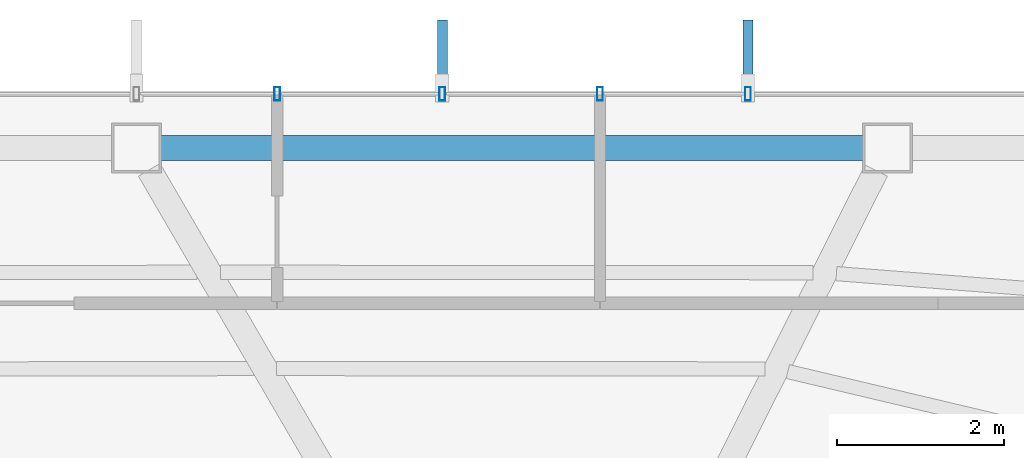
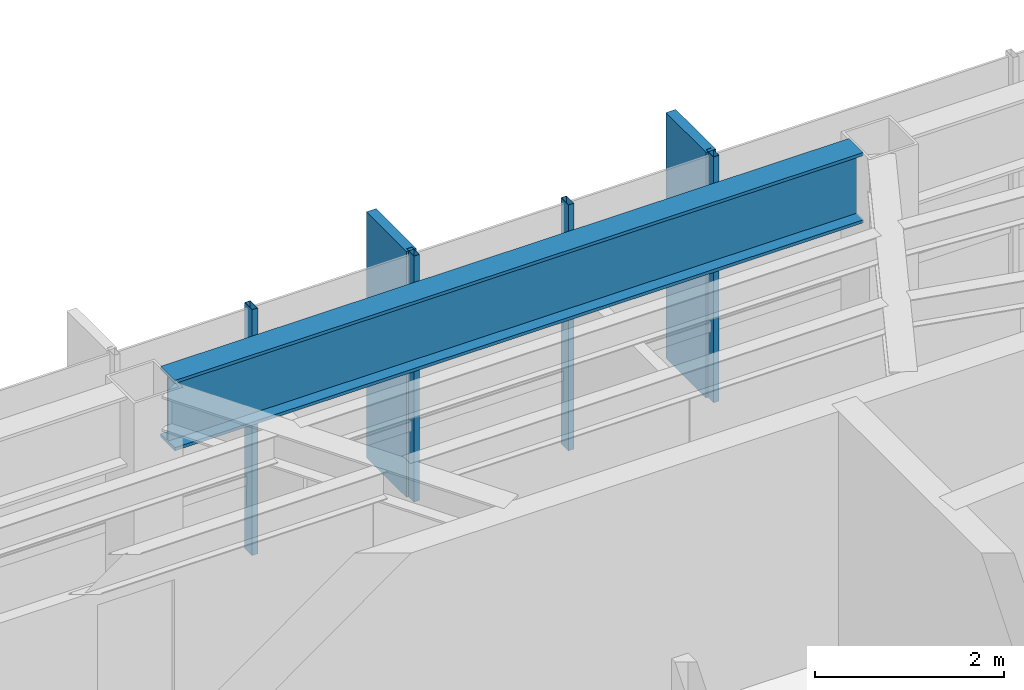
# One storey, part 14 of 25: 6 members, 1 beam, 1 element without a shape of its own.
"""IFC4 building model written with IfcOpenShell, lengths in metres."""

from ifc_helpers import new_model, si_unit, direction, frame, origin, origin_2d, place, context, subcontext, project, spatial, rectangle, hollow_rectangle, i_section, extrude, material, layer, layer_set, material_profile, profile_set, type_object, element, aggregate, save


model = new_model("IFC4")

# Units and contexts
model_context = context("Model", 3, precision=1e-05, world=origin(), true_north=direction((0.0, 1.0)))
body_context = subcontext(model_context, "Body", "Model", "MODEL_VIEW")
ifc_project = project(units=[si_unit("LENGTHUNIT", "METRE"), si_unit("AREAUNIT", "SQUARE_METRE"), si_unit("VOLUMEUNIT", "CUBIC_METRE"), si_unit("PLANEANGLEUNIT", "RADIAN"), si_unit("MASSUNIT", "GRAM", prefix="KILO")], contexts=[model_context])

# Site, building, storey
site_placement = place(None, origin())
site = spatial("IfcSite", under=ifc_project, at=site_placement, CompositionType="ELEMENT")
building_placement = place(site_placement, origin())
building = spatial("IfcBuilding", under=site, at=building_placement, Name="Zarrinselat Tower", CompositionType="ELEMENT")
storey_placement = place(building_placement, frame((0.0, 0.0, 242.760009765625)))
storey = spatial("IfcBuildingStorey", under=building, at=storey_placement, Name="L61", CompositionType="ELEMENT", Elevation=242.760009765625)

# Beam
ifc_material_1 = material(Name="Steel S460M", Category="steel")
ifc_material_profile_1 = material_profile(ifc_material_1, i_section(OverallWidth=0.302001953125, OverallDepth=0.909912109375, WebThickness=0.02099609375, FlangeThickness=0.0400390625, at=origin_2d()), Name="HEM 900")
ifc_profile_set_1 = profile_set([ifc_material_profile_1], Name="Steel S460M")
beam_type = type_object("IfcBeamType", Name="BM-HEM900", PredefinedType="BEAM", material=ifc_profile_set_1)
beam_placement = place(storey_placement, frame((39.03271484375, 47.4111328125, 2.72509765625), z_axis=(1.0, 0.0, 0.0), x_axis=(0.0, 1.0, 0.0)))
element("IfcBeam", 1, at=beam_placement, inside=storey, type_object=beam_type, Name="L61 Perimeter Spandrel Girder SP02", PredefinedType="BEAM", context=body_context, shape_type="SweptSolid", body=[
    extrude(i_section(OverallWidth=0.302001953125, OverallDepth=0.909912109375, WebThickness=0.02099609375, FlangeThickness=0.0400390625, at=origin_2d()), origin(), (0.0, 0.0, 1.0), 8.424560546875),
])

# Curtain wall, members
ifc_material_2 = material(Name="Extruded Aluminium Alloy EN AW-6063 T6", Category="aluminium")
ifc_layer = layer(ifc_material_2, 0.169921875)
ifc_layer_set = layer_set([ifc_layer], Name="Extruded Aluminium Alloy EN AW-6063 T6")
curtain_wall_type = type_object("IfcCurtainWallType", Name="CWS-RES", PredefinedType="NOTDEFINED", material=ifc_layer_set)
curtain_wall_placement = place(storey_placement, origin())
curtain_wall = element("IfcCurtainWall", 2, at=curtain_wall_placement, inside=storey, type_object=curtain_wall_type, Name="L61 Unitised Curtain Wall CW-L61-E01", PredefinedType="NOTDEFINED")
ifc_material_3 = material(Name="Extruded Aluminium Alloy EN AW-6063 T6", Category="aluminium")
ifc_material_profile_2 = material_profile(ifc_material_3, hollow_rectangle(XDim=0.070068359375, YDim=0.159912109375, WallThickness=0.00390625, at=origin_2d()), Name="RHS 160x70x4")
ifc_profile_set_2 = profile_set([ifc_material_profile_2], Name="Extruded Aluminium Alloy EN AW-6063 T6")
member_type_1 = type_object("IfcMemberType", Name="MEM-CW-MUL2", PredefinedType="MULLION", material=ifc_profile_set_2)
member_1_placement = place(storey_placement, frame((46.07421875, 48.06103515625, 0.0), z_axis=(0.0, 0.0, 1.0), x_axis=(-1.0, 0.0, 0.0)))
member_1 = element("IfcMember", 3, at=member_1_placement, type_object=member_type_1, Name="CW-L61-E01 Mullion 3", PredefinedType="MULLION", context=body_context, shape_type="SweptSolid", body=[
    extrude(hollow_rectangle(XDim=0.070068359375, YDim=0.159912109375, WallThickness=0.00390625, at=origin_2d()), origin(), (0.0, 0.0, 1.0), 3.179931640625),
])
member_2_placement = place(storey_placement, frame((44.300048828125, 48.06103515625, 0.0), z_axis=(0.0, 0.0, 1.0), x_axis=(-1.0, 0.0, 0.0)))
member_2 = element("IfcMember", 4, at=member_2_placement, type_object=member_type_1, Name="CW-L61-E01 Mullion 4", PredefinedType="MULLION", context=body_context, shape_type="SweptSolid", body=[
    extrude(hollow_rectangle(XDim=0.070068359375, YDim=0.159912109375, WallThickness=0.00390625, at=origin_2d()), origin(), (0.0, 0.0, 1.0), 3.179931640625),
])
member_3_placement = place(storey_placement, frame((42.409423828125, 48.06103515625, 0.0), z_axis=(0.0, 0.0, 1.0), x_axis=(-1.0, 0.0, 0.0)))
member_3 = element("IfcMember", 5, at=member_3_placement, type_object=member_type_1, Name="CW-L61-E01 Mullion 5", PredefinedType="MULLION", context=body_context, shape_type="SweptSolid", body=[
    extrude(hollow_rectangle(XDim=0.070068359375, YDim=0.159912109375, WallThickness=0.00390625, at=origin_2d()), origin(), (0.0, 0.0, 1.0), 3.179931640625),
])
member_4_placement = place(storey_placement, frame((40.4296875, 48.06103515625, 0.0), z_axis=(0.0, 0.0, 1.0), x_axis=(-1.0, 0.0, 0.0)))
member_4 = element("IfcMember", 6, at=member_4_placement, type_object=member_type_1, Name="CW-L61-E01 Mullion 6", PredefinedType="MULLION", context=body_context, shape_type="SweptSolid", body=[
    extrude(hollow_rectangle(XDim=0.070068359375, YDim=0.159912109375, WallThickness=0.00390625, at=origin_2d()), origin(), (0.0, 0.0, 1.0), 3.179931640625),
])
ifc_material_4 = material(Name="Honed Cream Travertine Stone", Category="masonry")
ifc_material_profile_3 = material_profile(ifc_material_4, rectangle(XDim=0.1201171875, YDim=0.85009765625, at=origin_2d()), Name="FIN 850x120")
ifc_profile_set_3 = profile_set([ifc_material_profile_3], Name="Honed Cream Travertine Stone")
member_type_2 = type_object("IfcMemberType", Name="MEM-STONE-FIN", PredefinedType="USERDEFINED", material=ifc_profile_set_3)
member_5_placement = place(storey_placement, frame((46.07421875, 48.52099609375, 0.0), z_axis=(0.0, 0.0, 1.0), x_axis=(1.0, 0.0, 0.0)))
member_5 = element("IfcMember", 7, at=member_5_placement, type_object=member_type_2, Name="L61 Stone Shading Fin CW-L61-E01-03", ObjectType="FIN", PredefinedType="USERDEFINED", context=body_context, shape_type="SweptSolid", body=[
    extrude(rectangle(XDim=0.1201171875, YDim=0.85009765625, at=origin_2d()), origin(), (0.0, 0.0, 1.0), 3.179931640625),
])
member_6_placement = place(storey_placement, frame((42.409423828125, 48.52099609375, 0.0), z_axis=(0.0, 0.0, 1.0), x_axis=(1.0, 0.0, 0.0)))
member_6 = element("IfcMember", 8, at=member_6_placement, type_object=member_type_2, Name="L61 Stone Shading Fin CW-L61-E01-05", ObjectType="FIN", PredefinedType="USERDEFINED", context=body_context, shape_type="SweptSolid", body=[
    extrude(rectangle(XDim=0.1201171875, YDim=0.85009765625, at=origin_2d()), origin(), (0.0, 0.0, 1.0), 3.179931640625),
])
aggregate(curtain_wall, [member_1, member_5, member_2, member_3, member_6, member_4])

save(model, "model.ifc")
